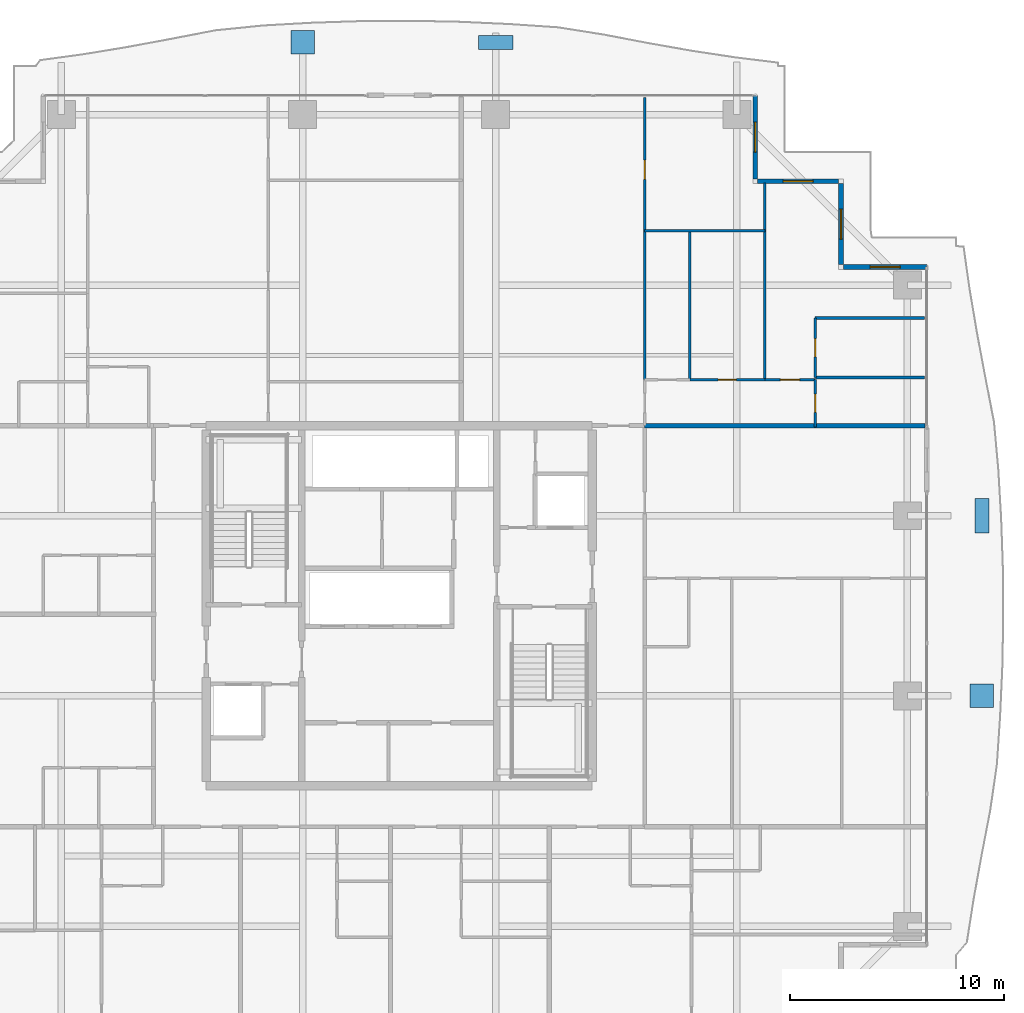
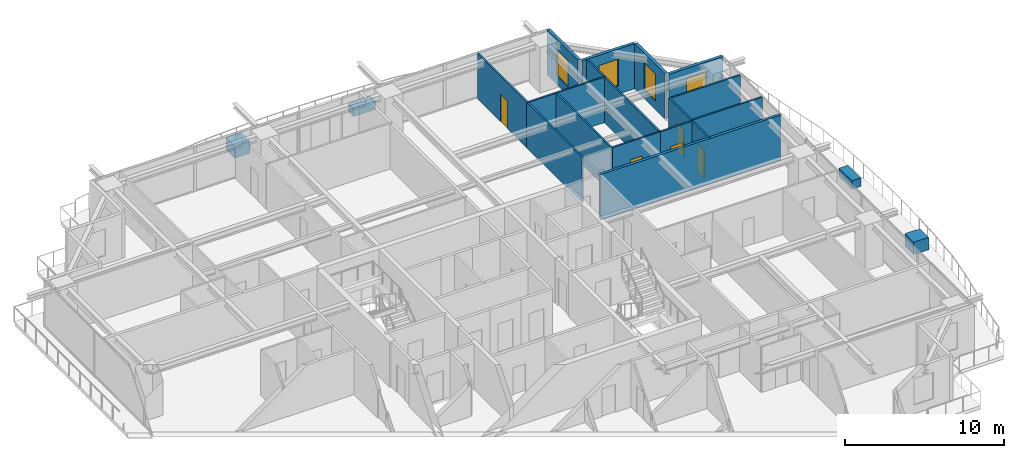
# One storey, part 27 of 33: 16 walls, 5 doors, 4 discrete accessories, 4 windows, 9 openings.
"""IFC4 building model written with IfcOpenShell, lengths in metres."""

from ifc_helpers import new_model, si_unit, direction, frame, frame_2d, origin, origin_2d, place, context, subcontext, project, spatial, rectangle, extrude, source, transform, mapped, material, layer, layer_set, type_object, element, fill, save


model = new_model("IFC4")

# Units and contexts
model_context = context("Model", 3, precision=1e-05, world=origin(), true_north=direction((0.0, 1.0)))
body_context = subcontext(model_context, "Body", "Model", "MODEL_VIEW")
ifc_project = project(units=[si_unit("LENGTHUNIT", "METRE"), si_unit("AREAUNIT", "SQUARE_METRE"), si_unit("VOLUMEUNIT", "CUBIC_METRE"), si_unit("PLANEANGLEUNIT", "RADIAN"), si_unit("MASSUNIT", "GRAM", prefix="KILO")], contexts=[model_context])

# Site, building, storey
site_placement = place(None, origin())
site = spatial("IfcSite", under=ifc_project, at=site_placement, CompositionType="ELEMENT")
building_placement = place(site_placement, origin())
building = spatial("IfcBuilding", under=site, at=building_placement, Name="Serunith Strait Residences", CompositionType="ELEMENT")
storey_placement = place(building_placement, frame((0.0, 0.0, 150.14990234375)))
storey = spatial("IfcBuildingStorey", under=building, at=storey_placement, Name="L37", CompositionType="ELEMENT", Elevation=150.14990234375)

# Wall, opening, window
ifc_material_1 = material(Name="Pale-Champagne Aluminium Insulated Panel", Category="aluminium")
ifc_layer_1 = layer(ifc_material_1, 0.219970703125, Name="Pale-Champagne Aluminium Insulated Panel")
ifc_layer_set_1 = layer_set([ifc_layer_1], Name="Pale-Champagne Aluminium Insulated Panel")
wall_type_1 = type_object("IfcWallType", Name="EW-ALUM-220", PredefinedType="ELEMENTEDWALL", material=ifc_layer_set_1)
wall_1_placement = place(storey_placement, frame((57.0, 41.0, 0.0), z_axis=(0.0, 0.0, 1.0), x_axis=(-1.0, 0.0, 0.0)))
wall_1 = element("IfcWall", 1, at=wall_1_placement, inside=storey, type_object=wall_type_1, Name="L37 Girih Serrated Corner Wall 07", PredefinedType="ELEMENTEDWALL", context=body_context, shape_type="SweptSolid", body=[
    extrude(rectangle(XDim=3.889892578125, YDim=0.219970703125, at=frame_2d((1.94482421875, 0.0))), origin(), (0.0, 0.0, 1.0), 3.47509765625),
])
opening_1_placement = place(wall_1_placement, frame((1.2451171875, 0.0, 0.64990234375)))
opening_1 = element("IfcOpeningElement", 2, at=opening_1_placement, cuts=wall_1, Name="Opening W-03", PredefinedType="OPENING", context=body_context, shape_type="SweptSolid", body=[
    extrude(rectangle(XDim=1.39990234375, YDim=2.050048828125, at=frame_2d((0.699951171875, 1.02490234375))), frame((0.0, 0.1201171875, 0.0), z_axis=(0.0, -1.0, 0.0), x_axis=(1.0, 0.0, 0.0)), (0.0, 0.0, 1.0), 0.239990234375),
])
ifc_material_2 = material(Name="Ceramic-Fritted Operable Aluminium Window Glass", Category="aluminium")
window_type = type_object("IfcWindowType", Name="WIN-C3", PartitioningType="SINGLE_PANEL", PredefinedType="WINDOW", material=ifc_material_2)
shared_shape_1 = source(origin(), body_context, "Body", "SweptSolid", [
    extrude(rectangle(XDim=1.39990234375, YDim=2.050048828125, at=frame_2d((0.699951171875, 1.02490234375))), frame((0.0, 0.030029296875, 0.0), z_axis=(0.0, -1.0, 0.0), x_axis=(1.0, 0.0, 0.0)), (0.0, 0.0, 1.0), 0.06005859375),
])
window_1_placement = place(opening_1_placement, origin())
window_1 = element("IfcWindow", 3, at=window_1_placement, inside=storey, type_object=window_type, Name="L37 Corner Operable Fritted Window 07", OverallHeight=2.050048828125, OverallWidth=1.39990234375, PartitioningType="SINGLE_PANEL", PredefinedType="WINDOW", context=body_context, shape_type="MappedRepresentation", body=[
    mapped(shared_shape_1, transform((0.0, 0.0, 0.0), scale=1.0)),
])
fill(opening_1, window_1)

wall_2_placement = place(storey_placement, frame((53.0, 41.110107421875, 0.0), z_axis=(0.0, 0.0, 1.0), x_axis=(0.0, 1.0, 0.0)))
wall_2 = element("IfcWall", 4, at=wall_2_placement, inside=storey, type_object=wall_type_1, Name="L37 Girih Serrated Corner Wall 08", PredefinedType="ELEMENTEDWALL", context=body_context, shape_type="SweptSolid", body=[
    extrude(rectangle(XDim=3.77978515625, YDim=0.219970703125, at=frame_2d((1.889892578125, 0.0))), origin(), (0.0, 0.0, 1.0), 3.47509765625),
])
opening_2_placement = place(wall_2_placement, frame((1.18994140625, 0.0, 0.64990234375)))
opening_2 = element("IfcOpeningElement", 5, at=opening_2_placement, cuts=wall_2, Name="Opening W-03", PredefinedType="OPENING", context=body_context, shape_type="SweptSolid", body=[
    extrude(rectangle(XDim=1.39990234375, YDim=2.050048828125, at=frame_2d((0.699951171875, 1.02490234375))), frame((0.0, 0.1201171875, 0.0), z_axis=(0.0, -1.0, 0.0), x_axis=(1.0, 0.0, 0.0)), (0.0, 0.0, 1.0), 0.239990234375),
])
window_2_placement = place(opening_2_placement, origin())
window_2 = element("IfcWindow", 6, at=window_2_placement, inside=storey, type_object=window_type, Name="L37 Corner Operable Fritted Window 08", OverallHeight=2.050048828125, OverallWidth=1.39990234375, PartitioningType="SINGLE_PANEL", PredefinedType="WINDOW", context=body_context, shape_type="MappedRepresentation", body=[
    mapped(shared_shape_1, transform((0.0, 0.0, 0.0), scale=1.0)),
])
fill(opening_2, window_2)

wall_3_placement = place(storey_placement, frame((52.889892578125, 45.0, 0.0), z_axis=(0.0, 0.0, 1.0), x_axis=(-1.0, 0.0, 0.0)))
wall_3 = element("IfcWall", 7, at=wall_3_placement, inside=storey, type_object=wall_type_1, Name="L37 Girih Serrated Corner Wall 09", PredefinedType="ELEMENTEDWALL", context=body_context, shape_type="SweptSolid", body=[
    extrude(rectangle(XDim=3.77978515625, YDim=0.219970703125, at=frame_2d((1.889892578125, 0.0))), origin(), (0.0, 0.0, 1.0), 3.47509765625),
])
opening_3_placement = place(wall_3_placement, frame((1.18994140625, 0.0, 0.64990234375)))
opening_3 = element("IfcOpeningElement", 8, at=opening_3_placement, cuts=wall_3, Name="Opening W-03", PredefinedType="OPENING", context=body_context, shape_type="SweptSolid", body=[
    extrude(rectangle(XDim=1.39990234375, YDim=2.050048828125, at=frame_2d((0.699951171875, 1.02490234375))), frame((0.0, 0.1201171875, 0.0), z_axis=(0.0, -1.0, 0.0), x_axis=(1.0, 0.0, 0.0)), (0.0, 0.0, 1.0), 0.239990234375),
])
window_3_placement = place(opening_3_placement, origin())
window_3 = element("IfcWindow", 9, at=window_3_placement, inside=storey, type_object=window_type, Name="L37 Corner Operable Fritted Window 09", OverallHeight=2.050048828125, OverallWidth=1.39990234375, PartitioningType="SINGLE_PANEL", PredefinedType="WINDOW", context=body_context, shape_type="MappedRepresentation", body=[
    mapped(shared_shape_1, transform((0.0, 0.0, 0.0), scale=1.0)),
])
fill(opening_3, window_3)

wall_4_placement = place(storey_placement, frame((49.0, 45.110107421875, 0.0), z_axis=(0.0, 0.0, 1.0), x_axis=(0.0, 1.0, 0.0)))
wall_4 = element("IfcWall", 10, at=wall_4_placement, inside=storey, type_object=wall_type_1, Name="L37 Girih Serrated Corner Wall 10", PredefinedType="ELEMENTEDWALL", context=body_context, shape_type="SweptSolid", body=[
    extrude(rectangle(XDim=3.889892578125, YDim=0.219970703125, at=frame_2d((1.94482421875, 0.0))), origin(), (0.0, 0.0, 1.0), 3.47509765625),
])
opening_4_placement = place(wall_4_placement, frame((1.2451171875, 0.0, 0.64990234375)))
opening_4 = element("IfcOpeningElement", 11, at=opening_4_placement, cuts=wall_4, Name="Opening W-03", PredefinedType="OPENING", context=body_context, shape_type="SweptSolid", body=[
    extrude(rectangle(XDim=1.39990234375, YDim=2.050048828125, at=frame_2d((0.699951171875, 1.02490234375))), frame((0.0, 0.1201171875, 0.0), z_axis=(0.0, -1.0, 0.0), x_axis=(1.0, 0.0, 0.0)), (0.0, 0.0, 1.0), 0.239990234375),
])
window_4_placement = place(opening_4_placement, origin())
window_4 = element("IfcWindow", 12, at=window_4_placement, inside=storey, type_object=window_type, Name="L37 Corner Operable Fritted Window 10", OverallHeight=2.050048828125, OverallWidth=1.39990234375, PartitioningType="SINGLE_PANEL", PredefinedType="WINDOW", context=body_context, shape_type="MappedRepresentation", body=[
    mapped(shared_shape_1, transform((0.0, 0.0, 0.0), scale=1.0)),
])
fill(opening_4, window_4)

# Wall, opening, door
ifc_material_3 = material(Name="Lightweight steel-stud gypsum partition", Category="steel")
ifc_layer_2 = layer(ifc_material_3, 0.1201171875, Name="Lightweight steel-stud gypsum partition")
ifc_layer_set_2 = layer_set([ifc_layer_2], Name="Lightweight steel-stud gypsum partition")
wall_type_2 = type_object("IfcWallType", Name="IW-PART-120", PredefinedType="PARTITIONING", material=ifc_layer_set_2)
wall_5_placement = place(storey_placement, frame((43.85009765625, 48.905029296875, 0.0), z_axis=(0.0, 0.0, 1.0), x_axis=(0.0, -1.0, 0.0)))
wall_5 = element("IfcWall", 13, at=wall_5_placement, inside=storey, type_object=wall_type_2, Name="L37 Partition Wall 069", PredefinedType="PARTITIONING", context=body_context, shape_type="SweptSolid", body=[
    extrude(rectangle(XDim=6.2099609375, YDim=0.1201171875, at=frame_2d((3.10498046875, 0.0))), origin(), (0.0, 0.0, 1.0), 3.489990234375),
])
opening_5_placement = place(wall_5_placement, frame((2.9208984375, 0.0, 0.0)))
opening_5 = element("IfcOpeningElement", 14, at=opening_5_placement, cuts=wall_5, Name="Opening D-RM900", PredefinedType="OPENING", context=body_context, shape_type="SweptSolid", body=[
    extrude(rectangle(XDim=0.89990234375, YDim=2.10009765625, at=frame_2d((0.449951171875, 1.050048828125))), frame((0.0, 0.070068359375, 0.0), z_axis=(0.0, -1.0, 0.0), x_axis=(1.0, 0.0, 0.0)), (0.0, 0.0, 1.0), 0.14013671875),
])
ifc_material_4 = material(Name="Engineered timber flush bedroom door", Category="wood")
door_type_1 = type_object("IfcDoorType", Name="ID-ROOM-900", OperationType="NOTDEFINED", PredefinedType="DOOR", material=ifc_material_4)
shared_shape_2 = source(origin(), body_context, "Body", "SweptSolid", [
    extrude(rectangle(XDim=0.89990234375, YDim=2.10009765625, at=frame_2d((0.449951171875, 1.050048828125))), frame((0.0, 0.02490234375, 0.0), z_axis=(0.0, -1.0, 0.0), x_axis=(1.0, 0.0, 0.0)), (0.0, 0.0, 1.0), 0.050048828125),
])
door_1_placement = place(opening_5_placement, origin())
door_1 = element("IfcDoor", 15, at=door_1_placement, inside=storey, type_object=door_type_1, Name="L37 Formal Dining Room 1 3706 Door", OperationType="SINGLE_SWING_RIGHT", OverallHeight=2.10009765625, OverallWidth=0.89990234375, PredefinedType="DOOR", context=body_context, shape_type="MappedRepresentation", body=[
    mapped(shared_shape_2, transform((0.0, 0.0, 0.0), scale=1.0)),
])
fill(opening_5, door_1)

# Walls
wall_6_placement = place(storey_placement, frame((43.85009765625, 42.693115234375, 0.0), z_axis=(0.0, 0.0, 1.0), x_axis=(0.0, -1.0, 0.0)))
element("IfcWall", 16, at=wall_6_placement, inside=storey, type_object=wall_type_2, Name="L37 Partition Wall 070", PredefinedType="PARTITIONING", context=body_context, shape_type="SweptSolid", body=[
    extrude(rectangle(XDim=6.941162109375, YDim=0.1201171875, at=frame_2d((3.470703125, 0.0))), origin(), (0.0, 0.0, 1.0), 3.489990234375),
])
wall_7_placement = place(storey_placement, frame((43.85009765625, 42.695068359375, 0.0), z_axis=(0.0, 0.0, 1.0), x_axis=(1.0, 0.0, 0.0)))
element("IfcWall", 17, at=wall_7_placement, inside=storey, type_object=wall_type_2, Name="L37 Partition Wall 071", PredefinedType="PARTITIONING", context=body_context, shape_type="SweptSolid", body=[
    extrude(rectangle(XDim=5.599853515625, YDim=0.1201171875, at=frame_2d((2.7998046875, 0.0))), origin(), (0.0, 0.0, 1.0), 3.489990234375),
])
wall_8_placement = place(storey_placement, frame((49.449951171875, 44.905029296875, 0.0), z_axis=(0.0, 0.0, 1.0), x_axis=(0.0, -1.0, 0.0)))
element("IfcWall", 18, at=wall_8_placement, inside=storey, type_object=wall_type_2, Name="L37 Partition Wall 072", PredefinedType="PARTITIONING", context=body_context, shape_type="SweptSolid", body=[
    extrude(rectangle(XDim=9.155029296875, YDim=0.1201171875, at=frame_2d((4.57763671875, 0.0))), origin(), (0.0, 0.0, 1.0), 3.489990234375),
])
wall_9_placement = place(storey_placement, frame((45.949951171875, 42.695068359375, 0.0), z_axis=(0.0, 0.0, 1.0), x_axis=(0.0, -1.0, 0.0)))
element("IfcWall", 19, at=wall_9_placement, inside=storey, type_object=wall_type_2, Name="L37 Partition Wall 073", PredefinedType="PARTITIONING", context=body_context, shape_type="SweptSolid", body=[
    extrude(rectangle(XDim=6.945068359375, YDim=0.1201171875, at=frame_2d((3.47265625, 0.0))), origin(), (0.0, 0.0, 1.0), 3.489990234375),
])

# Wall, opening, door
wall_10_placement = place(storey_placement, frame((45.951904296875, 35.75, 0.0), z_axis=(0.0, 0.0, 1.0), x_axis=(1.0, 0.0, 0.0)))
wall_10 = element("IfcWall", 20, at=wall_10_placement, inside=storey, type_object=wall_type_2, Name="L37 Partition Wall 075", PredefinedType="PARTITIONING", context=body_context, shape_type="SweptSolid", body=[
    extrude(rectangle(XDim=3.498046875, YDim=0.1201171875, at=frame_2d((1.7490234375, 0.0))), origin(), (0.0, 0.0, 1.0), 3.489990234375),
])
opening_6_placement = place(wall_10_placement, frame((1.323974609375, 0.0, 0.0)))
opening_6 = element("IfcOpeningElement", 21, at=opening_6_placement, cuts=wall_10, Name="Opening D-RM850", PredefinedType="OPENING", context=body_context, shape_type="SweptSolid", body=[
    extrude(rectangle(XDim=0.85009765625, YDim=2.10009765625, at=frame_2d((0.425048828125, 1.050048828125))), frame((0.0, 0.070068359375, 0.0), z_axis=(0.0, -1.0, 0.0), x_axis=(1.0, 0.0, 0.0)), (0.0, 0.0, 1.0), 0.14013671875),
])
ifc_material_5 = material(Name="Engineered timber flush study and kitchen door", Category="wood")
door_type_2 = type_object("IfcDoorType", Name="ID-ROOM-850", OperationType="NOTDEFINED", PredefinedType="DOOR", material=ifc_material_5)
shared_shape_3 = source(origin(), body_context, "Body", "SweptSolid", [
    extrude(rectangle(XDim=0.85009765625, YDim=2.10009765625, at=frame_2d((0.425048828125, 1.050048828125))), frame((0.0, 0.02490234375, 0.0), z_axis=(0.0, -1.0, 0.0), x_axis=(1.0, 0.0, 0.0)), (0.0, 0.0, 1.0), 0.050048828125),
])
door_2_placement = place(opening_6_placement, origin())
door_2 = element("IfcDoor", 22, at=door_2_placement, inside=storey, type_object=door_type_2, Name="L37 Kitchen 3706 Door", OperationType="SINGLE_SWING_RIGHT", OverallHeight=2.10009765625, OverallWidth=0.85009765625, PredefinedType="DOOR", context=body_context, shape_type="MappedRepresentation", body=[
    mapped(shared_shape_3, transform((0.0, 0.0, 0.0), scale=1.0)),
])
fill(opening_6, door_2)

wall_11_placement = place(storey_placement, frame((49.451904296875, 35.75, 0.0), z_axis=(0.0, 0.0, 1.0), x_axis=(1.0, 0.0, 0.0)))
wall_11 = element("IfcWall", 23, at=wall_11_placement, inside=storey, type_object=wall_type_2, Name="L37 Partition Wall 076", PredefinedType="PARTITIONING", context=body_context, shape_type="SweptSolid", body=[
    extrude(rectangle(XDim=2.34814453125, YDim=0.1201171875, at=frame_2d((1.174072265625, 0.0))), origin(), (0.0, 0.0, 1.0), 3.489990234375),
])
opening_7_placement = place(wall_11_placement, frame((0.72412109375, 0.0, 0.0)))
opening_7 = element("IfcOpeningElement", 24, at=opening_7_placement, cuts=wall_11, Name="Opening D-RM900", PredefinedType="OPENING", context=body_context, shape_type="SweptSolid", body=[
    extrude(rectangle(XDim=0.89990234375, YDim=2.10009765625, at=frame_2d((0.449951171875, 1.050048828125))), frame((0.0, 0.070068359375, 0.0), z_axis=(0.0, -1.0, 0.0), x_axis=(1.0, 0.0, 0.0)), (0.0, 0.0, 1.0), 0.14013671875),
])
door_3_placement = place(opening_7_placement, origin())
door_3 = element("IfcDoor", 25, at=door_3_placement, inside=storey, type_object=door_type_1, Name="L37 Master Bedroom E 3706 Door", OperationType="SINGLE_SWING_LEFT", OverallHeight=2.10009765625, OverallWidth=0.89990234375, PredefinedType="DOOR", context=body_context, shape_type="MappedRepresentation", body=[
    mapped(shared_shape_2, transform((0.0, 0.0, 0.0), scale=1.0)),
])
fill(opening_7, door_3)

# Walls
wall_12_placement = place(storey_placement, frame((51.800048828125, 38.62109375, 0.0), z_axis=(0.0, 0.0, 1.0), x_axis=(1.0, 0.0, 0.0)))
element("IfcWall", 26, at=wall_12_placement, inside=storey, type_object=wall_type_2, Name="L37 Partition Wall 077", PredefinedType="PARTITIONING", context=body_context, shape_type="SweptSolid", body=[
    extrude(rectangle(XDim=5.10498046875, YDim=0.1201171875, at=frame_2d((2.552490234375, 0.0))), origin(), (0.0, 0.0, 1.0), 3.489990234375),
])
wall_13_placement = place(storey_placement, frame((51.802001953125, 35.845947265625, 0.0), z_axis=(0.0, 0.0, 1.0), x_axis=(1.0, 0.0, 0.0)))
element("IfcWall", 27, at=wall_13_placement, inside=storey, type_object=wall_type_2, Name="L37 Partition Wall 078", PredefinedType="PARTITIONING", context=body_context, shape_type="SweptSolid", body=[
    extrude(rectangle(XDim=5.10302734375, YDim=0.1201171875, at=frame_2d((2.551513671875, 0.0))), origin(), (0.0, 0.0, 1.0), 3.489990234375),
])

# Wall, opening, door
wall_14_placement = place(storey_placement, frame((51.800048828125, 38.62109375, 0.0), z_axis=(0.0, 0.0, 1.0), x_axis=(0.0, -1.0, 0.0)))
wall_14 = element("IfcWall", 28, at=wall_14_placement, inside=storey, type_object=wall_type_2, Name="L37 Partition Wall 079", PredefinedType="PARTITIONING", context=body_context, shape_type="SweptSolid", body=[
    extrude(rectangle(XDim=2.775146484375, YDim=0.1201171875, at=frame_2d((1.3876953125, 0.0))), origin(), (0.0, 0.0, 1.0), 3.489990234375),
])
opening_8_placement = place(wall_14_placement, frame((0.962890625, 0.0, 0.0)))
opening_8 = element("IfcOpeningElement", 29, at=opening_8_placement, cuts=wall_14, Name="Opening D-BTH850", PredefinedType="OPENING", context=body_context, shape_type="SweptSolid", body=[
    extrude(rectangle(XDim=0.85009765625, YDim=2.10009765625, at=frame_2d((0.425048828125, 1.050048828125))), frame((0.0, 0.070068359375, 0.0), z_axis=(0.0, -1.0, 0.0), x_axis=(1.0, 0.0, 0.0)), (0.0, 0.0, 1.0), 0.14013671875),
])
ifc_material_6 = material(Name="Moisture-resistant timber bathroom door", Category="wood")
door_type_3 = type_object("IfcDoorType", Name="ID-BATH-850", OperationType="NOTDEFINED", PredefinedType="DOOR", material=ifc_material_6)
door_4_placement = place(opening_8_placement, origin())
door_4 = element("IfcDoor", 30, at=door_4_placement, inside=storey, type_object=door_type_3, Name="L37 En-suite Bathroom E 3706 Door", OperationType="SINGLE_SWING_RIGHT", OverallHeight=2.10009765625, OverallWidth=0.85009765625, PredefinedType="DOOR", context=body_context, shape_type="MappedRepresentation", body=[
    mapped(shared_shape_3, transform((0.0, 0.0, 0.0), scale=1.0)),
])
fill(opening_8, door_4)

wall_15_placement = place(storey_placement, frame((51.800048828125, 35.75, 0.0), z_axis=(0.0, 0.0, 1.0), x_axis=(0.0, -1.0, 0.0)))
wall_15 = element("IfcWall", 31, at=wall_15_placement, inside=storey, type_object=wall_type_2, Name="L37 Partition Wall 080", PredefinedType="PARTITIONING", context=body_context, shape_type="SweptSolid", body=[
    extrude(rectangle(XDim=2.2099609375, YDim=0.1201171875, at=frame_2d((1.10498046875, 0.0))), origin(), (0.0, 0.0, 1.0), 3.489990234375),
])
opening_9_placement = place(wall_15_placement, frame((0.679931640625, 0.0, 0.0)))
opening_9 = element("IfcOpeningElement", 32, at=opening_9_placement, cuts=wall_15, Name="Opening D-RM850", PredefinedType="OPENING", context=body_context, shape_type="SweptSolid", body=[
    extrude(rectangle(XDim=0.85009765625, YDim=2.10009765625, at=frame_2d((0.425048828125, 1.050048828125))), frame((0.0, 0.070068359375, 0.0), z_axis=(0.0, -1.0, 0.0), x_axis=(1.0, 0.0, 0.0)), (0.0, 0.0, 1.0), 0.14013671875),
])
door_5_placement = place(opening_9_placement, origin())
door_5 = element("IfcDoor", 33, at=door_5_placement, inside=storey, type_object=door_type_2, Name="L37 Wardrobe E 3706 Door", OperationType="SINGLE_SWING_LEFT", OverallHeight=2.10009765625, OverallWidth=0.85009765625, PredefinedType="DOOR", context=body_context, shape_type="MappedRepresentation", body=[
    mapped(shared_shape_3, transform((0.0, 0.0, 0.0), scale=1.0)),
])
fill(opening_9, door_5)

# Wall
ifc_material_7 = material(Name="Twin-stud acoustic gypsum board partition")
ifc_layer_3 = layer(ifc_material_7, 0.199951171875, Name="Twin-stud acoustic gypsum board partition")
ifc_layer_set_3 = layer_set([ifc_layer_3], Name="Twin-stud acoustic gypsum board partition")
wall_type_3 = type_object("IfcWallType", Name="IW-PARTY-200", PredefinedType="PARTITIONING", material=ifc_layer_set_3)
wall_16_placement = place(storey_placement, frame((43.85009765625, 33.60009765625, 0.0), z_axis=(0.0, 0.0, 1.0), x_axis=(1.0, 0.0, 0.0)))
element("IfcWall", 34, at=wall_16_placement, inside=storey, type_object=wall_type_3, Name="L37 Partition Wall 026", PredefinedType="PARTITIONING", context=body_context, shape_type="SweptSolid", body=[
    extrude(rectangle(XDim=13.06787109375, YDim=0.199951171875, at=frame_2d((6.533935546875, 0.0))), origin(), (0.0, 0.0, 1.0), 3.489990234375),
])

# Discrete accessories
ifc_material_8 = material(Name="GFRC Root-Anchored Structural Planter")
discrete_accessory_type_1 = type_object("IfcDiscreteAccessoryType", Name="ACC-PLANTER-TREE", PredefinedType="USERDEFINED", material=ifc_material_8)
shared_shape_4 = source(origin(), body_context, "Body", "SweptSolid", [
    extrude(rectangle(XDim=1.10009765625, YDim=1.10009765625, at=origin_2d()), origin(), (0.0, 0.0, 1.0), 0.949951171875),
])
for number, where, z_axis, x_axis, name in (
    (35, (27.89990234375, 51.4765625, -0.0498046875), (0.0, 0.0, 1.0), (-1.0, 0.0, 0.0), "L37 Vertical-Forest Tree Planter 06"),
    (36, (59.572509765625, 21.0, -0.0498046875), (0.0, 0.0, 1.0), (0.0, 1.0, 0.0), "L37 Vertical-Forest Tree Planter 10"),
):
    element("IfcDiscreteAccessory", number, at=place(storey_placement, frame(where, z_axis=z_axis, x_axis=x_axis)), inside=storey, type_object=discrete_accessory_type_1, Name=name, ObjectType="PLANTER", PredefinedType="USERDEFINED", context=body_context, shape_type="MappedRepresentation", body=[
        mapped(shared_shape_4, transform((0.0, 0.0, 0.0), scale=1.0)),
    ])
ifc_material_9 = material(Name="GFRC Irrigated Shrub Trough Planter")
discrete_accessory_type_2 = type_object("IfcDiscreteAccessoryType", Name="ACC-PLANTER-SHRUB", PredefinedType="USERDEFINED", material=ifc_material_9)
shared_shape_5 = source(origin(), body_context, "Body", "SweptSolid", [
    extrude(rectangle(XDim=1.60009765625, YDim=0.64990234375, at=origin_2d()), origin(), (0.0, 0.0, 1.0), 0.64990234375),
])
for number, where, z_axis, x_axis, name in (
    (37, (36.89990234375, 51.46826171875, -0.0498046875), (0.0, 0.0, 1.0), (-1.0, 0.0, 0.0), "L37 Vertical-Forest Shrub Planter 07"),
    (38, (59.57177734375, 29.39990234375, -0.0498046875), (0.0, 0.0, 1.0), (0.0, 1.0, 0.0), "L37 Vertical-Forest Shrub Planter 11"),
):
    element("IfcDiscreteAccessory", number, at=place(storey_placement, frame(where, z_axis=z_axis, x_axis=x_axis)), inside=storey, type_object=discrete_accessory_type_2, Name=name, ObjectType="PLANTER", PredefinedType="USERDEFINED", context=body_context, shape_type="MappedRepresentation", body=[
        mapped(shared_shape_5, transform((0.0, 0.0, 0.0), scale=1.0)),
    ])

save(model, "model.ifc")
